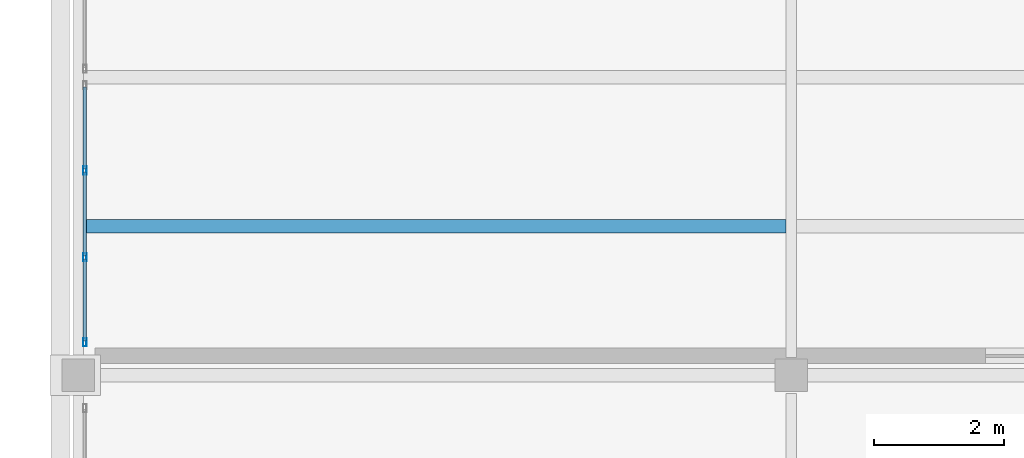
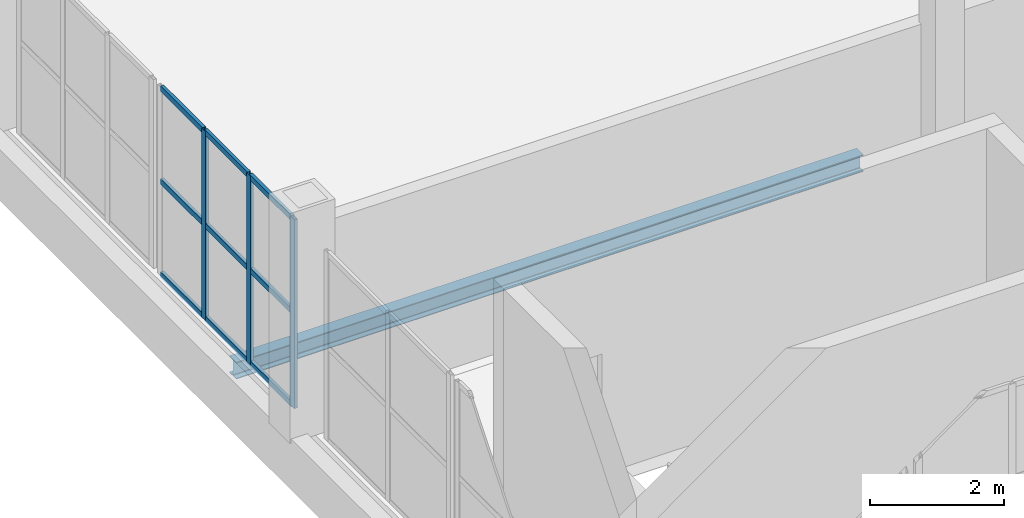
# One storey, part 9 of 26: 12 members, 1 beam, 1 element without a shape of its own.
"""IFC4 building model written with IfcOpenShell, lengths in metres."""

from ifc_helpers import new_model, si_unit, direction, frame, origin, origin_2d, place, context, subcontext, project, spatial, hollow_rectangle, i_section, extrude, material, material_profile, profile_set, type_object, element, aggregate, save


model = new_model("IFC4")

# Units and contexts
model_context = context("Model", 3, precision=1e-05, world=origin(), true_north=direction((0.0, 1.0)))
body_context = subcontext(model_context, "Body", "Model", "MODEL_VIEW")
ifc_project = project(units=[si_unit("LENGTHUNIT", "METRE"), si_unit("AREAUNIT", "SQUARE_METRE"), si_unit("VOLUMEUNIT", "CUBIC_METRE"), si_unit("PLANEANGLEUNIT", "RADIAN"), si_unit("MASSUNIT", "GRAM", prefix="KILO")], contexts=[model_context])

# Site, building, storey
site_placement = place(None, origin())
site = spatial("IfcSite", under=ifc_project, at=site_placement, CompositionType="ELEMENT")
building_placement = place(site_placement, origin())
building = spatial("IfcBuilding", under=site, at=building_placement, Name="Caurita Quay Ferry Terminal", CompositionType="ELEMENT")
storey_placement = place(building_placement, frame((0.0, 0.0, 18.300048828125)))
storey = spatial("IfcBuildingStorey", under=building, at=storey_placement, Name="L04", CompositionType="ELEMENT", Elevation=18.300048828125)

# Beam
ifc_material_1 = material(Name="Structural steel ASTM A992 Gr. 50", Category="steel")
ifc_material_profile_1 = material_profile(ifc_material_1, i_section(OverallWidth=0.20458984375, OverallDepth=0.307373046875, WebThickness=0.008544921875, FlangeThickness=0.0146484375, FilletRadius=0.0126953125, at=origin_2d()), Name="W12X45")
ifc_profile_set_1 = profile_set([ifc_material_profile_1], Name="Structural steel ASTM A992 Gr. 50")
beam_type = type_object("IfcBeamType", Name="BM-JS-W12B", PredefinedType="JOIST", material=ifc_profile_set_1)
beam_placement = place(storey_placement, frame((0.083251953125, 82.5, -0.373779296875), z_axis=(1.0, 0.0, 0.0), x_axis=(0.0, 1.0, 0.0)))
element("IfcBeam", 1, at=beam_placement, inside=storey, type_object=beam_type, Name="L04 Beam JS-V5-L04-002", PredefinedType="JOIST", context=body_context, shape_type="SweptSolid", body=[
    extrude(i_section(OverallWidth=0.20458984375, OverallDepth=0.307373046875, WebThickness=0.008544921875, FlangeThickness=0.0146484375, FilletRadius=0.0126953125, at=origin_2d()), origin(), (0.0, 0.0, 1.0), 10.83349609375),
])

# Curtain wall, members
ifc_material_2 = material(Name="Laminated solar-control insulated glass", Category="glass")
curtain_wall_type = type_object("IfcCurtainWallType", Name="CW-SYS-21", PredefinedType="NOTDEFINED", material=ifc_material_2)
curtain_wall_placement = place(storey_placement, origin())
curtain_wall = element("IfcCurtainWall", 2, at=curtain_wall_placement, inside=storey, type_object=curtain_wall_type, Name="VTS Watch Panoramic Curtain Wall 144", PredefinedType="NOTDEFINED")
ifc_material_3 = material(Name="Anodized aluminium 6063-T6", Category="aluminium")
ifc_material_profile_2 = material_profile(ifc_material_3, hollow_rectangle(XDim=0.054931640625, YDim=0.125, WallThickness=0.00341796875, at=origin_2d()), Name="ALU-MUL-55X125")
ifc_profile_set_2 = profile_set([ifc_material_profile_2], Name="Anodized aluminium 6063-T6")
member_type_1 = type_object("IfcMemberType", Name="CW-MUL-125", PredefinedType="MULLION", material=ifc_profile_set_2)
member_1_placement = place(storey_placement, frame((0.10009765625, 80.70751953125, 0.0), z_axis=(0.0, 0.0, 1.0), x_axis=(-1.0, 0.0, 0.0)))
member_1 = element("IfcMember", 3, at=member_1_placement, type_object=member_type_1, Name="CW-VTS-144 Mullion 1", PredefinedType="MULLION", context=body_context, shape_type="SweptSolid", body=[
    extrude(hollow_rectangle(XDim=0.054931640625, YDim=0.125, WallThickness=0.00341796875, at=origin_2d()), origin(), (0.0, 0.0, 1.0), 3.449951171875),
])
member_2_placement = place(storey_placement, frame((0.10009765625, 82.02001953125, 0.0), z_axis=(0.0, 0.0, 1.0), x_axis=(-1.0, 0.0, 0.0)))
member_2 = element("IfcMember", 4, at=member_2_placement, type_object=member_type_1, Name="CW-VTS-144 Mullion 2", PredefinedType="MULLION", context=body_context, shape_type="SweptSolid", body=[
    extrude(hollow_rectangle(XDim=0.054931640625, YDim=0.125, WallThickness=0.00341796875, at=origin_2d()), origin(), (0.0, 0.0, 1.0), 3.449951171875),
])
member_3_placement = place(storey_placement, frame((0.10009765625, 83.360107421875, 0.0), z_axis=(0.0, 0.0, 1.0), x_axis=(-1.0, 0.0, 0.0)))
member_3 = element("IfcMember", 5, at=member_3_placement, type_object=member_type_1, Name="CW-VTS-144 Mullion 3", PredefinedType="MULLION", context=body_context, shape_type="SweptSolid", body=[
    extrude(hollow_rectangle(XDim=0.054931640625, YDim=0.125, WallThickness=0.00341796875, at=origin_2d()), origin(), (0.0, 0.0, 1.0), 3.449951171875),
])
ifc_material_profile_3 = material_profile(ifc_material_3, hollow_rectangle(XDim=0.054931640625, YDim=0.10009765625, WallThickness=0.00341796875, at=origin_2d()), Name="ALU-TRN-55X100")
ifc_profile_set_3 = profile_set([ifc_material_profile_3], Name="Anodized aluminium 6063-T6")
member_type_2 = type_object("IfcMemberType", Name="CW-TRN-100", PredefinedType="USERDEFINED", material=ifc_profile_set_3)
member_4_placement = place(storey_placement, frame((0.10009765625, 80.73291015625, 0.02734375), z_axis=(0.0, 1.0, 0.0), x_axis=(-1.0, 0.0, 0.0)))
member_4 = element("IfcMember", 6, at=member_4_placement, type_object=member_type_2, Name="CW-VTS-144 Transom 1", ObjectType="TRANSOM", PredefinedType="USERDEFINED", context=body_context, shape_type="SweptSolid", body=[
    extrude(hollow_rectangle(XDim=0.054931640625, YDim=0.10009765625, WallThickness=0.00341796875, at=origin_2d()), origin(), (0.0, 0.0, 1.0), 1.261474609375),
])
member_5_placement = place(storey_placement, frame((0.10009765625, 80.73291015625, 1.724853515625), z_axis=(0.0, 1.0, 0.0), x_axis=(-1.0, 0.0, 0.0)))
member_5 = element("IfcMember", 7, at=member_5_placement, type_object=member_type_2, Name="CW-VTS-144 Transom 2", ObjectType="TRANSOM", PredefinedType="USERDEFINED", context=body_context, shape_type="SweptSolid", body=[
    extrude(hollow_rectangle(XDim=0.054931640625, YDim=0.10009765625, WallThickness=0.00341796875, at=origin_2d()), origin(), (0.0, 0.0, 1.0), 1.261474609375),
])
member_6_placement = place(storey_placement, frame((0.10009765625, 80.73291015625, 3.42236328125), z_axis=(0.0, 1.0, 0.0), x_axis=(-1.0, 0.0, 0.0)))
member_6 = element("IfcMember", 8, at=member_6_placement, type_object=member_type_2, Name="CW-VTS-144 Transom 3", ObjectType="TRANSOM", PredefinedType="USERDEFINED", context=body_context, shape_type="SweptSolid", body=[
    extrude(hollow_rectangle(XDim=0.054931640625, YDim=0.10009765625, WallThickness=0.00341796875, at=origin_2d()), origin(), (0.0, 0.0, 1.0), 1.261474609375),
])
member_7_placement = place(storey_placement, frame((0.10009765625, 82.04541015625, 0.02734375), z_axis=(0.0, 1.0, 0.0), x_axis=(-1.0, 0.0, 0.0)))
member_7 = element("IfcMember", 9, at=member_7_placement, type_object=member_type_2, Name="CW-VTS-144 Transom 4", ObjectType="TRANSOM", PredefinedType="USERDEFINED", context=body_context, shape_type="SweptSolid", body=[
    extrude(hollow_rectangle(XDim=0.054931640625, YDim=0.10009765625, WallThickness=0.00341796875, at=origin_2d()), origin(), (0.0, 0.0, 1.0), 1.2890625),
])
member_8_placement = place(storey_placement, frame((0.10009765625, 82.04541015625, 1.724853515625), z_axis=(0.0, 1.0, 0.0), x_axis=(-1.0, 0.0, 0.0)))
member_8 = element("IfcMember", 10, at=member_8_placement, type_object=member_type_2, Name="CW-VTS-144 Transom 5", ObjectType="TRANSOM", PredefinedType="USERDEFINED", context=body_context, shape_type="SweptSolid", body=[
    extrude(hollow_rectangle(XDim=0.054931640625, YDim=0.10009765625, WallThickness=0.00341796875, at=origin_2d()), origin(), (0.0, 0.0, 1.0), 1.2890625),
])
member_9_placement = place(storey_placement, frame((0.10009765625, 82.04541015625, 3.42236328125), z_axis=(0.0, 1.0, 0.0), x_axis=(-1.0, 0.0, 0.0)))
member_9 = element("IfcMember", 11, at=member_9_placement, type_object=member_type_2, Name="CW-VTS-144 Transom 6", ObjectType="TRANSOM", PredefinedType="USERDEFINED", context=body_context, shape_type="SweptSolid", body=[
    extrude(hollow_rectangle(XDim=0.054931640625, YDim=0.10009765625, WallThickness=0.00341796875, at=origin_2d()), origin(), (0.0, 0.0, 1.0), 1.2890625),
])
member_10_placement = place(storey_placement, frame((0.10009765625, 83.385498046875, 0.02734375), z_axis=(0.0, 1.0, 0.0), x_axis=(-1.0, 0.0, 0.0)))
member_10 = element("IfcMember", 12, at=member_10_placement, type_object=member_type_2, Name="CW-VTS-144 Transom 7", ObjectType="TRANSOM", PredefinedType="USERDEFINED", context=body_context, shape_type="SweptSolid", body=[
    extrude(hollow_rectangle(XDim=0.054931640625, YDim=0.10009765625, WallThickness=0.00341796875, at=origin_2d()), origin(), (0.0, 0.0, 1.0), 1.261474609375),
])
member_11_placement = place(storey_placement, frame((0.10009765625, 83.385498046875, 1.724853515625), z_axis=(0.0, 1.0, 0.0), x_axis=(-1.0, 0.0, 0.0)))
member_11 = element("IfcMember", 13, at=member_11_placement, type_object=member_type_2, Name="CW-VTS-144 Transom 8", ObjectType="TRANSOM", PredefinedType="USERDEFINED", context=body_context, shape_type="SweptSolid", body=[
    extrude(hollow_rectangle(XDim=0.054931640625, YDim=0.10009765625, WallThickness=0.00341796875, at=origin_2d()), origin(), (0.0, 0.0, 1.0), 1.261474609375),
])
member_12_placement = place(storey_placement, frame((0.10009765625, 83.385498046875, 3.42236328125), z_axis=(0.0, 1.0, 0.0), x_axis=(-1.0, 0.0, 0.0)))
member_12 = element("IfcMember", 14, at=member_12_placement, type_object=member_type_2, Name="CW-VTS-144 Transom 9", ObjectType="TRANSOM", PredefinedType="USERDEFINED", context=body_context, shape_type="SweptSolid", body=[
    extrude(hollow_rectangle(XDim=0.054931640625, YDim=0.10009765625, WallThickness=0.00341796875, at=origin_2d()), origin(), (0.0, 0.0, 1.0), 1.261474609375),
])
aggregate(curtain_wall, [member_1, member_2, member_3, member_4, member_5, member_6, member_7, member_8, member_9, member_10, member_11, member_12])

save(model, "model.ifc")
